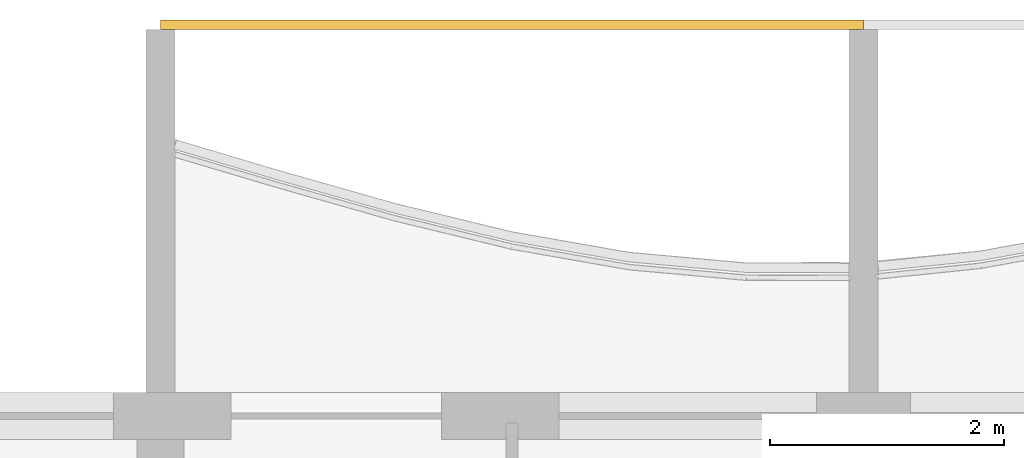
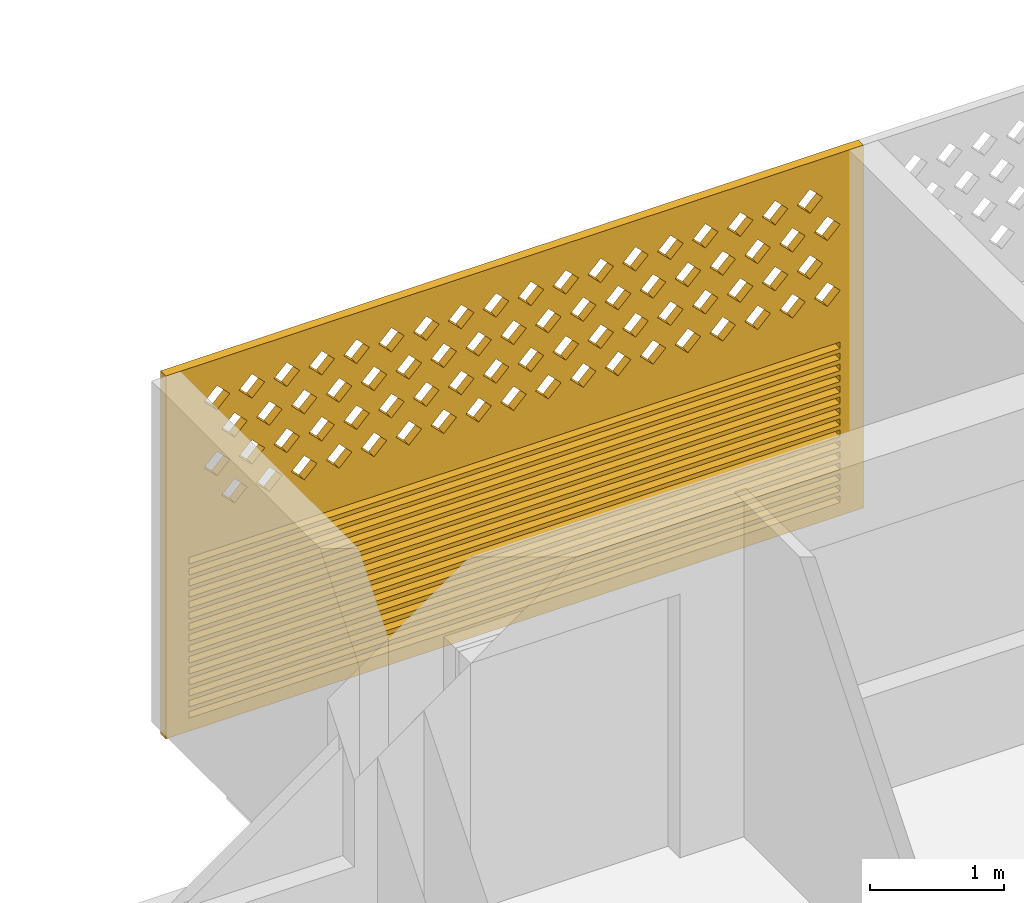
# One storey, part 34 of 40: 1 covering.
"""IFC4 building model written with IfcOpenShell, lengths in metres."""

import ifcopenshell
import ifcopenshell.guid

model = None  # the IFC model being written
_history = None  # IfcOwnerHistory: only IFC2X3 demands one
_inside = {}  # id of a spatial element -> (the spatial element, [elements in it])
_under = {}  # id of a project, library or spatial element -> (it, [spatial elements below it])
_declared = {}  # id of a project -> (the project, [libraries it declares])
_typed = {}  # id of a type object -> (the type object, [elements of that type])
_made_of = {}  # id of a material, layer set ... -> (it, [elements and type objects made of it])


def new_model(schema):
    """Start an empty IFC model of exactly this schema.

    Asked for "IFC4X3", IfcOpenShell would pick the latest addendum, in which some entities
    have other attributes; the version numbers below select the first issue.
    IFC2X3 requires an IfcOwnerHistory on every rooted entity: one is made here for all.
    """
    global model, _history
    if schema == "IFC4X3":
        model = ifcopenshell.file(schema_version=(4, 3, 0, 0))
    else:
        model = ifcopenshell.file(schema=schema)
    _inside.clear()
    _under.clear()
    _declared.clear()
    _typed.clear()
    _made_of.clear()
    _history = None
    if model.schema == "IFC2X3":
        org = make("IfcOrganization", Name="unknown")
        user = make(
            "IfcPersonAndOrganization",
            ThePerson=make("IfcPerson", FamilyName="unknown"),
            TheOrganization=org,
        )
        app = make(
            "IfcApplication",
            ApplicationDeveloper=org,
            Version="unknown",
            ApplicationFullName="unknown",
            ApplicationIdentifier="unknown",
        )
        _history = make(
            "IfcOwnerHistory",
            OwningUser=user,
            OwningApplication=app,
            ChangeAction="ADDED",
            CreationDate=0,
        )
    return model


def make(cls, **values):
    """One entity of the class cls with the attributes given. An attribute that is None is left unset."""
    return model.create_entity(
        cls, **{name: value for name, value in values.items() if value is not None}
    )


def rooted(cls, **values):
    """An entity with a GlobalId (a new one), such as an element, a storey or a relation."""
    return make(cls, GlobalId=ifcopenshell.guid.new(), OwnerHistory=_history, **values)


def si_unit(unit_type, name, prefix=None):
    """IfcSIUnit, for example si_unit("LENGTHUNIT", "METRE", prefix="MILLI")."""
    return make("IfcSIUnit", UnitType=unit_type, Prefix=prefix, Name=name)


def assignment(units):
    """IfcUnitAssignment: the units of a project."""
    return None if units is None else make("IfcUnitAssignment", Units=units)


def point(xyz):
    """IfcCartesianPoint."""
    return None if xyz is None else make("IfcCartesianPoint", Coordinates=xyz)


def direction(xyz):
    """IfcDirection."""
    return None if xyz is None else make("IfcDirection", DirectionRatios=xyz)


def frame(location, z_axis=None, x_axis=None):
    """IfcAxis2Placement3D, a coordinate frame: its origin and axes. An axis left out is left unset."""
    return make(
        "IfcAxis2Placement3D",
        Location=point(location),
        Axis=direction(z_axis),
        RefDirection=direction(x_axis),
    )


def origin():
    """The frame at (0, 0, 0) with its axes left unset."""
    return frame((0.0, 0.0, 0.0))


def place(relative_to, where):
    """IfcLocalPlacement: puts the frame where relative to a parent placement (None: the world)."""
    return make(
        "IfcLocalPlacement", PlacementRelTo=relative_to, RelativePlacement=where
    )


def context(
    kind, dimensions, precision=None, world=None, true_north=None, identifier=None
):
    """IfcGeometricRepresentationContext, for example the 3D "Model" context."""
    return make(
        "IfcGeometricRepresentationContext",
        ContextIdentifier=identifier,
        ContextType=kind,
        CoordinateSpaceDimension=dimensions,
        Precision=precision,
        WorldCoordinateSystem=world,
        TrueNorth=true_north,
    )


def subcontext(parent, identifier, kind, view, scale=None):
    """IfcGeometricRepresentationSubContext, for example "Body" below "Model"."""
    return make(
        "IfcGeometricRepresentationSubContext",
        ContextIdentifier=identifier,
        ContextType=kind,
        ParentContext=parent,
        TargetScale=scale,
        TargetView=view,
    )


def project(units=None, contexts=None):
    """IfcProject with its units and contexts."""
    return rooted(
        "IfcProject",
        Name="project",
        RepresentationContexts=contexts,
        UnitsInContext=assignment(units),
    )


def spatial(cls, under=None, at=None, **own):
    """A site, building, storey or space (cls), placed at a placement, below another one or the project."""
    s = rooted(cls, ObjectPlacement=at, **own)
    if under is not None:
        _under.setdefault(under.id(), (under, []))[1].append(s)
    return s


def polyline(points):
    """IfcPolyline through the points."""
    return make("IfcPolyline", Points=[point(p) for p in points])


def outline(outer, holes=None, kind="AREA"):
    """IfcArbitraryClosedProfileDef: a profile drawn as a closed curve; with holes, ...WithVoids."""
    if holes is None:
        return make("IfcArbitraryClosedProfileDef", ProfileType=kind, OuterCurve=outer)
    return make(
        "IfcArbitraryProfileDefWithVoids",
        ProfileType=kind,
        OuterCurve=outer,
        InnerCurves=holes,
    )


def extrude(swept, where, along, depth):
    """IfcExtrudedAreaSolid: the profile swept, set in the frame where, extruded along a direction by depth."""
    return make(
        "IfcExtrudedAreaSolid",
        SweptArea=swept,
        Position=where,
        ExtrudedDirection=direction(along),
        Depth=depth,
    )


def shape(context_of_items, identifier, shape_type, items):
    """IfcShapeRepresentation: the items that make up one representation, for example the "Body"."""
    return make(
        "IfcShapeRepresentation",
        ContextOfItems=context_of_items,
        RepresentationIdentifier=identifier,
        RepresentationType=shape_type,
        Items=items,
    )


def source(mapping_origin, context_of_items, identifier, shape_type, items):
    """IfcRepresentationMap: a shape defined once, which mapped items show again and again."""
    return make(
        "IfcRepresentationMap",
        MappingOrigin=mapping_origin,
        MappedRepresentation=shape(context_of_items, identifier, shape_type, items),
    )


def transform(
    local_origin,
    x_axis=None,
    y_axis=None,
    z_axis=None,
    scale=None,
    scale2=None,
    scale3=None,
    uniform=True,
):
    """IfcCartesianTransformationOperator3D, or its non-uniform kind. x_axis, y_axis, z_axis: its Axis1, 2, 3."""
    if uniform:
        return make(
            "IfcCartesianTransformationOperator3D",
            Axis1=direction(x_axis),
            Axis2=direction(y_axis),
            LocalOrigin=point(local_origin),
            Scale=scale,
            Axis3=direction(z_axis),
        )
    return make(
        "IfcCartesianTransformationOperator3DnonUniform",
        Axis1=direction(x_axis),
        Axis2=direction(y_axis),
        LocalOrigin=point(local_origin),
        Scale=scale,
        Axis3=direction(z_axis),
        Scale2=scale2,
        Scale3=scale3,
    )


def mapped(mapping_source, mapping_target):
    """IfcMappedItem: shows the shape of a source again, moved by a transform."""
    return make(
        "IfcMappedItem", MappingSource=mapping_source, MappingTarget=mapping_target
    )


def material(Name=None, Category=None):
    """IfcMaterial."""
    return make("IfcMaterial", Name=Name, Category=Category)


def material_profile(
    of_material, cross_section, Name=None, Category=None, Priority=None
):
    """IfcMaterialProfile: a cross section and its material."""
    return make(
        "IfcMaterialProfile",
        Name=Name,
        Material=of_material,
        Profile=cross_section,
        Priority=Priority,
        Category=Category,
    )


def profile_set(profiles, Name=None, composite=None):
    """IfcMaterialProfileSet."""
    return make(
        "IfcMaterialProfileSet",
        Name=Name,
        MaterialProfiles=profiles,
        CompositeProfile=composite,
    )


def made_of(thing, what):
    """Note that an element or type object is made of a material, layer set ...; save() writes the relation."""
    if what is not None:
        _made_of.setdefault(what.id(), (what, []))[1].append(thing)
    return thing


def type_object(cls, material=None, **own):
    """A type object (cls), such as IfcWallType, which elements share."""
    return made_of(rooted(cls, **own), material)


def element(
    cls,
    number,
    at=None,
    inside=None,
    cuts=None,
    type_object=None,
    material=None,
    context=None,
    identifier="Body",
    shape_type=None,
    held_by="IfcProductDefinitionShape",
    body=None,
    shapes=None,
    **own,
):
    """One element of the class cls, such as IfcWall. Its Tag is "e" and its number.

    at: its placement. inside: the storey or other place that contains it. cuts: it is an
    opening in that element (IfcRelVoidsElement). A single representation is given by context,
    identifier, shape_type and body (its items); several are given by shapes. held_by: the class
    of the entity that holds the representations. save() writes the other relations.
    """
    e = rooted(cls, Tag="e%d" % number, ObjectPlacement=at, **own)
    if body is not None:
        shapes = [shape(context, identifier, shape_type, body)]
    if shapes is not None:
        e.Representation = make(held_by, Representations=shapes)
    if inside is not None:
        _inside.setdefault(inside.id(), (inside, []))[1].append(e)
    if cuts is not None:
        rooted(
            "IfcRelVoidsElement", RelatingBuildingElement=cuts, RelatedOpeningElement=e
        )
    if type_object is not None:
        _typed.setdefault(type_object.id(), (type_object, []))[1].append(e)
    return made_of(e, material)


def aggregate(whole, parts):
    """IfcRelAggregates: a whole, such as a stair, and the parts it consists of."""
    return rooted("IfcRelAggregates", RelatingObject=whole, RelatedObjects=parts)


def save(model, path):
    """Write the relations noted so far, then the file.

    IfcRelAggregates (storeys below a building ...), IfcRelContainedInSpatialStructure (elements
    in a storey), IfcRelDefinesByType, IfcRelAssociatesMaterial and IfcRelDeclares: one each for
    every whole, place, type object, material and project.
    """
    for whole, parts in _under.values():
        aggregate(whole, parts)
    for where, things in _inside.values():
        rooted(
            "IfcRelContainedInSpatialStructure",
            RelatedElements=things,
            RelatingStructure=where,
        )
    for kind, things in _typed.values():
        rooted("IfcRelDefinesByType", RelatedObjects=things, RelatingType=kind)
    for what, things in _made_of.values():
        rooted("IfcRelAssociatesMaterial", RelatedObjects=things, RelatingMaterial=what)
    for by, libraries in _declared.values():
        rooted("IfcRelDeclares", RelatingContext=by, RelatedDefinitions=libraries)
    model.write(path)


model = new_model("IFC4")

# Units and contexts
model_context = context("Model", 3, precision=1e-05, world=origin(), true_north=direction((0.0, 1.0)))
body_context = subcontext(model_context, "Body", "Model", "MODEL_VIEW")
ifc_project = project(units=[si_unit("LENGTHUNIT", "METRE"), si_unit("AREAUNIT", "SQUARE_METRE"), si_unit("VOLUMEUNIT", "CUBIC_METRE"), si_unit("PLANEANGLEUNIT", "RADIAN"), si_unit("MASSUNIT", "GRAM", prefix="KILO")], contexts=[model_context])

# Site, building, storey
site_placement = place(None, origin())
site = spatial("IfcSite", under=ifc_project, at=site_placement, CompositionType="ELEMENT")
building_placement = place(site_placement, origin())
building = spatial("IfcBuilding", under=site, at=building_placement, Name="Poui Terraces", CompositionType="ELEMENT")
storey_placement = place(building_placement, frame((0.0, 0.0, 36.60009765625)))
storey = spatial("IfcBuildingStorey", under=building, at=storey_placement, Name="L09", CompositionType="ELEMENT", Elevation=36.60009765625)

# Covering
ifc_material = material(Name="Terracotta screen", Category="masonry")
ifc_material_profile = material_profile(ifc_material, outline(polyline([(-3.0, -1.64990234375), (3.0, -1.64990234375), (3.0, 1.64990234375), (-3.0, 1.64990234375), (-3.0, -1.64990234375)]), holes=[polyline([(-2.800048828125, 0.39990234375), (-2.68994140625, 0.2900390625), (-2.580078125, 0.39990234375), (-2.68994140625, 0.510009765625), (-2.800048828125, 0.39990234375)]), polyline([(-2.5, 0.39990234375), (-2.389892578125, 0.2900390625), (-2.280029296875, 0.39990234375), (-2.389892578125, 0.510009765625), (-2.5, 0.39990234375)]), polyline([(-2.199951171875, 0.39990234375), (-2.090087890625, 0.2900390625), (-1.97998046875, 0.39990234375), (-2.090087890625, 0.510009765625), (-2.199951171875, 0.39990234375)]), polyline([(-1.89990234375, 0.39990234375), (-1.7900390625, 0.2900390625), (-1.679931640625, 0.39990234375), (-1.7900390625, 0.510009765625), (-1.89990234375, 0.39990234375)]), polyline([(-1.60009765625, 0.39990234375), (-1.489990234375, 0.2900390625), (-1.3798828125, 0.39990234375), (-1.489990234375, 0.510009765625), (-1.60009765625, 0.39990234375)]), polyline([(-1.300048828125, 0.39990234375), (-1.18994140625, 0.2900390625), (-1.080078125, 0.39990234375), (-1.18994140625, 0.510009765625), (-1.300048828125, 0.39990234375)]), polyline([(-1.0, 0.39990234375), (-0.889892578125, 0.2900390625), (-0.780029296875, 0.39990234375), (-0.889892578125, 0.510009765625), (-1.0, 0.39990234375)]), polyline([(-0.699951171875, 0.39990234375), (-0.590087890625, 0.2900390625), (-0.47998046875, 0.39990234375), (-0.590087890625, 0.510009765625), (-0.699951171875, 0.39990234375)]), polyline([(-0.39990234375, 0.39990234375), (-0.2900390625, 0.2900390625), (-0.179931640625, 0.39990234375), (-0.2900390625, 0.510009765625), (-0.39990234375, 0.39990234375)]), polyline([(-0.10009765625, 0.39990234375), (0.010009765625, 0.2900390625), (0.1201171875, 0.39990234375), (0.010009765625, 0.510009765625), (-0.10009765625, 0.39990234375)]), polyline([(0.199951171875, 0.39990234375), (0.31005859375, 0.2900390625), (0.419921875, 0.39990234375), (0.31005859375, 0.510009765625), (0.199951171875, 0.39990234375)]), polyline([(0.5, 0.39990234375), (0.610107421875, 0.2900390625), (0.719970703125, 0.39990234375), (0.610107421875, 0.510009765625), (0.5, 0.39990234375)]), polyline([(0.800048828125, 0.39990234375), (0.909912109375, 0.2900390625), (1.02001953125, 0.39990234375), (0.909912109375, 0.510009765625), (0.800048828125, 0.39990234375)]), polyline([(1.10009765625, 0.39990234375), (1.2099609375, 0.2900390625), (1.320068359375, 0.39990234375), (1.2099609375, 0.510009765625), (1.10009765625, 0.39990234375)]), polyline([(1.39990234375, 0.39990234375), (1.510009765625, 0.2900390625), (1.6201171875, 0.39990234375), (1.510009765625, 0.510009765625), (1.39990234375, 0.39990234375)]), polyline([(1.699951171875, 0.39990234375), (1.81005859375, 0.2900390625), (1.919921875, 0.39990234375), (1.81005859375, 0.510009765625), (1.699951171875, 0.39990234375)]), polyline([(2.0, 0.39990234375), (2.110107421875, 0.2900390625), (2.219970703125, 0.39990234375), (2.110107421875, 0.510009765625), (2.0, 0.39990234375)]), polyline([(2.300048828125, 0.39990234375), (2.409912109375, 0.2900390625), (2.52001953125, 0.39990234375), (2.409912109375, 0.510009765625), (2.300048828125, 0.39990234375)]), polyline([(-2.64990234375, 0.699951171875), (-2.5400390625, 0.590087890625), (-2.429931640625, 0.699951171875), (-2.5400390625, 0.81005859375), (-2.64990234375, 0.699951171875)]), polyline([(-2.35009765625, 0.699951171875), (-2.239990234375, 0.590087890625), (-2.1298828125, 0.699951171875), (-2.239990234375, 0.81005859375), (-2.35009765625, 0.699951171875)]), polyline([(-2.050048828125, 0.699951171875), (-1.93994140625, 0.590087890625), (-1.830078125, 0.699951171875), (-1.93994140625, 0.81005859375), (-2.050048828125, 0.699951171875)]), polyline([(-1.75, 0.699951171875), (-1.639892578125, 0.590087890625), (-1.530029296875, 0.699951171875), (-1.639892578125, 0.81005859375), (-1.75, 0.699951171875)]), polyline([(-1.449951171875, 0.699951171875), (-1.340087890625, 0.590087890625), (-1.22998046875, 0.699951171875), (-1.340087890625, 0.81005859375), (-1.449951171875, 0.699951171875)]), polyline([(-1.14990234375, 0.699951171875), (-1.0400390625, 0.590087890625), (-0.929931640625, 0.699951171875), (-1.0400390625, 0.81005859375), (-1.14990234375, 0.699951171875)]), polyline([(-0.85009765625, 0.699951171875), (-0.739990234375, 0.590087890625), (-0.6298828125, 0.699951171875), (-0.739990234375, 0.81005859375), (-0.85009765625, 0.699951171875)]), polyline([(-0.550048828125, 0.699951171875), (-0.43994140625, 0.590087890625), (-0.330078125, 0.699951171875), (-0.43994140625, 0.81005859375), (-0.550048828125, 0.699951171875)]), polyline([(-0.25, 0.699951171875), (-0.139892578125, 0.590087890625), (-0.030029296875, 0.699951171875), (-0.139892578125, 0.81005859375), (-0.25, 0.699951171875)]), polyline([(0.050048828125, 0.699951171875), (0.159912109375, 0.590087890625), (0.27001953125, 0.699951171875), (0.159912109375, 0.81005859375), (0.050048828125, 0.699951171875)]), polyline([(0.35009765625, 0.699951171875), (0.4599609375, 0.590087890625), (0.570068359375, 0.699951171875), (0.4599609375, 0.81005859375), (0.35009765625, 0.699951171875)]), polyline([(0.64990234375, 0.699951171875), (0.760009765625, 0.590087890625), (0.8701171875, 0.699951171875), (0.760009765625, 0.81005859375), (0.64990234375, 0.699951171875)]), polyline([(0.949951171875, 0.699951171875), (1.06005859375, 0.590087890625), (1.169921875, 0.699951171875), (1.06005859375, 0.81005859375), (0.949951171875, 0.699951171875)]), polyline([(1.25, 0.699951171875), (1.360107421875, 0.590087890625), (1.469970703125, 0.699951171875), (1.360107421875, 0.81005859375), (1.25, 0.699951171875)]), polyline([(1.550048828125, 0.699951171875), (1.659912109375, 0.590087890625), (1.77001953125, 0.699951171875), (1.659912109375, 0.81005859375), (1.550048828125, 0.699951171875)]), polyline([(1.85009765625, 0.699951171875), (1.9599609375, 0.590087890625), (2.070068359375, 0.699951171875), (1.9599609375, 0.81005859375), (1.85009765625, 0.699951171875)]), polyline([(2.14990234375, 0.699951171875), (2.260009765625, 0.590087890625), (2.3701171875, 0.699951171875), (2.260009765625, 0.81005859375), (2.14990234375, 0.699951171875)]), polyline([(2.449951171875, 0.699951171875), (2.56005859375, 0.590087890625), (2.669921875, 0.699951171875), (2.56005859375, 0.81005859375), (2.449951171875, 0.699951171875)]), polyline([(-2.800048828125, 1.0), (-2.68994140625, 0.889892578125), (-2.580078125, 1.0), (-2.68994140625, 1.110107421875), (-2.800048828125, 1.0)]), polyline([(-2.5, 1.0), (-2.389892578125, 0.889892578125), (-2.280029296875, 1.0), (-2.389892578125, 1.110107421875), (-2.5, 1.0)]), polyline([(-2.199951171875, 1.0), (-2.090087890625, 0.889892578125), (-1.97998046875, 1.0), (-2.090087890625, 1.110107421875), (-2.199951171875, 1.0)]), polyline([(-1.89990234375, 1.0), (-1.7900390625, 0.889892578125), (-1.679931640625, 1.0), (-1.7900390625, 1.110107421875), (-1.89990234375, 1.0)]), polyline([(-1.60009765625, 1.0), (-1.489990234375, 0.889892578125), (-1.3798828125, 1.0), (-1.489990234375, 1.110107421875), (-1.60009765625, 1.0)]), polyline([(-1.300048828125, 1.0), (-1.18994140625, 0.889892578125), (-1.080078125, 1.0), (-1.18994140625, 1.110107421875), (-1.300048828125, 1.0)]), polyline([(-1.0, 1.0), (-0.889892578125, 0.889892578125), (-0.780029296875, 1.0), (-0.889892578125, 1.110107421875), (-1.0, 1.0)]), polyline([(-0.699951171875, 1.0), (-0.590087890625, 0.889892578125), (-0.47998046875, 1.0), (-0.590087890625, 1.110107421875), (-0.699951171875, 1.0)]), polyline([(-0.39990234375, 1.0), (-0.2900390625, 0.889892578125), (-0.179931640625, 1.0), (-0.2900390625, 1.110107421875), (-0.39990234375, 1.0)]), polyline([(-0.10009765625, 1.0), (0.010009765625, 0.889892578125), (0.1201171875, 1.0), (0.010009765625, 1.110107421875), (-0.10009765625, 1.0)]), polyline([(0.199951171875, 1.0), (0.31005859375, 0.889892578125), (0.419921875, 1.0), (0.31005859375, 1.110107421875), (0.199951171875, 1.0)]), polyline([(0.5, 1.0), (0.610107421875, 0.889892578125), (0.719970703125, 1.0), (0.610107421875, 1.110107421875), (0.5, 1.0)]), polyline([(0.800048828125, 1.0), (0.909912109375, 0.889892578125), (1.02001953125, 1.0), (0.909912109375, 1.110107421875), (0.800048828125, 1.0)]), polyline([(1.10009765625, 1.0), (1.2099609375, 0.889892578125), (1.320068359375, 1.0), (1.2099609375, 1.110107421875), (1.10009765625, 1.0)]), polyline([(1.39990234375, 1.0), (1.510009765625, 0.889892578125), (1.6201171875, 1.0), (1.510009765625, 1.110107421875), (1.39990234375, 1.0)]), polyline([(1.699951171875, 1.0), (1.81005859375, 0.889892578125), (1.919921875, 1.0), (1.81005859375, 1.110107421875), (1.699951171875, 1.0)]), polyline([(2.0, 1.0), (2.110107421875, 0.889892578125), (2.219970703125, 1.0), (2.110107421875, 1.110107421875), (2.0, 1.0)]), polyline([(2.300048828125, 1.0), (2.409912109375, 0.889892578125), (2.52001953125, 1.0), (2.409912109375, 1.110107421875), (2.300048828125, 1.0)]), polyline([(-2.64990234375, 1.300048828125), (-2.5400390625, 1.18994140625), (-2.429931640625, 1.300048828125), (-2.5400390625, 1.409912109375), (-2.64990234375, 1.300048828125)]), polyline([(-2.35009765625, 1.300048828125), (-2.239990234375, 1.18994140625), (-2.1298828125, 1.300048828125), (-2.239990234375, 1.409912109375), (-2.35009765625, 1.300048828125)]), polyline([(-2.050048828125, 1.300048828125), (-1.93994140625, 1.18994140625), (-1.830078125, 1.300048828125), (-1.93994140625, 1.409912109375), (-2.050048828125, 1.300048828125)]), polyline([(-1.75, 1.300048828125), (-1.639892578125, 1.18994140625), (-1.530029296875, 1.300048828125), (-1.639892578125, 1.409912109375), (-1.75, 1.300048828125)]), polyline([(-1.449951171875, 1.300048828125), (-1.340087890625, 1.18994140625), (-1.22998046875, 1.300048828125), (-1.340087890625, 1.409912109375), (-1.449951171875, 1.300048828125)]), polyline([(-1.14990234375, 1.300048828125), (-1.0400390625, 1.18994140625), (-0.929931640625, 1.300048828125), (-1.0400390625, 1.409912109375), (-1.14990234375, 1.300048828125)]), polyline([(-0.85009765625, 1.300048828125), (-0.739990234375, 1.18994140625), (-0.6298828125, 1.300048828125), (-0.739990234375, 1.409912109375), (-0.85009765625, 1.300048828125)]), polyline([(-0.550048828125, 1.300048828125), (-0.43994140625, 1.18994140625), (-0.330078125, 1.300048828125), (-0.43994140625, 1.409912109375), (-0.550048828125, 1.300048828125)]), polyline([(-0.25, 1.300048828125), (-0.139892578125, 1.18994140625), (-0.030029296875, 1.300048828125), (-0.139892578125, 1.409912109375), (-0.25, 1.300048828125)]), polyline([(0.050048828125, 1.300048828125), (0.159912109375, 1.18994140625), (0.27001953125, 1.300048828125), (0.159912109375, 1.409912109375), (0.050048828125, 1.300048828125)]), polyline([(0.35009765625, 1.300048828125), (0.4599609375, 1.18994140625), (0.570068359375, 1.300048828125), (0.4599609375, 1.409912109375), (0.35009765625, 1.300048828125)]), polyline([(0.64990234375, 1.300048828125), (0.760009765625, 1.18994140625), (0.8701171875, 1.300048828125), (0.760009765625, 1.409912109375), (0.64990234375, 1.300048828125)]), polyline([(0.949951171875, 1.300048828125), (1.06005859375, 1.18994140625), (1.169921875, 1.300048828125), (1.06005859375, 1.409912109375), (0.949951171875, 1.300048828125)]), polyline([(1.25, 1.300048828125), (1.360107421875, 1.18994140625), (1.469970703125, 1.300048828125), (1.360107421875, 1.409912109375), (1.25, 1.300048828125)]), polyline([(1.550048828125, 1.300048828125), (1.659912109375, 1.18994140625), (1.77001953125, 1.300048828125), (1.659912109375, 1.409912109375), (1.550048828125, 1.300048828125)]), polyline([(1.85009765625, 1.300048828125), (1.9599609375, 1.18994140625), (2.070068359375, 1.300048828125), (1.9599609375, 1.409912109375), (1.85009765625, 1.300048828125)]), polyline([(2.14990234375, 1.300048828125), (2.260009765625, 1.18994140625), (2.3701171875, 1.300048828125), (2.260009765625, 1.409912109375), (2.14990234375, 1.300048828125)]), polyline([(2.449951171875, 1.300048828125), (2.56005859375, 1.18994140625), (2.669921875, 1.300048828125), (2.56005859375, 1.409912109375), (2.449951171875, 1.300048828125)]), polyline([(-2.800048828125, -1.530029296875), (2.800048828125, -1.530029296875), (2.800048828125, -1.469970703125), (-2.800048828125, -1.469970703125), (-2.800048828125, -1.530029296875)]), polyline([(-2.800048828125, -1.429931640625), (2.800048828125, -1.429931640625), (2.800048828125, -1.3701171875), (-2.800048828125, -1.3701171875), (-2.800048828125, -1.429931640625)]), polyline([(-2.800048828125, -1.330078125), (2.800048828125, -1.330078125), (2.800048828125, -1.27001953125), (-2.800048828125, -1.27001953125), (-2.800048828125, -1.330078125)]), polyline([(-2.800048828125, -1.22998046875), (2.800048828125, -1.22998046875), (2.800048828125, -1.169921875), (-2.800048828125, -1.169921875), (-2.800048828125, -1.22998046875)]), polyline([(-2.800048828125, -1.1298828125), (2.800048828125, -1.1298828125), (2.800048828125, -1.070068359375), (-2.800048828125, -1.070068359375), (-2.800048828125, -1.1298828125)]), polyline([(-2.800048828125, -1.030029296875), (2.800048828125, -1.030029296875), (2.800048828125, -0.969970703125), (-2.800048828125, -0.969970703125), (-2.800048828125, -1.030029296875)]), polyline([(-2.800048828125, -0.929931640625), (2.800048828125, -0.929931640625), (2.800048828125, -0.8701171875), (-2.800048828125, -0.8701171875), (-2.800048828125, -0.929931640625)]), polyline([(-2.800048828125, -0.830078125), (2.800048828125, -0.830078125), (2.800048828125, -0.77001953125), (-2.800048828125, -0.77001953125), (-2.800048828125, -0.830078125)]), polyline([(-2.800048828125, -0.72998046875), (2.800048828125, -0.72998046875), (2.800048828125, -0.669921875), (-2.800048828125, -0.669921875), (-2.800048828125, -0.72998046875)]), polyline([(-2.800048828125, -0.6298828125), (2.800048828125, -0.6298828125), (2.800048828125, -0.570068359375), (-2.800048828125, -0.570068359375), (-2.800048828125, -0.6298828125)]), polyline([(-2.800048828125, -0.530029296875), (2.800048828125, -0.530029296875), (2.800048828125, -0.469970703125), (-2.800048828125, -0.469970703125), (-2.800048828125, -0.530029296875)]), polyline([(-2.800048828125, -0.429931640625), (2.800048828125, -0.429931640625), (2.800048828125, -0.3701171875), (-2.800048828125, -0.3701171875), (-2.800048828125, -0.429931640625)]), polyline([(-2.800048828125, -0.330078125), (2.800048828125, -0.330078125), (2.800048828125, -0.27001953125), (-2.800048828125, -0.27001953125), (-2.800048828125, -0.330078125)]), polyline([(-2.800048828125, -0.22998046875), (2.800048828125, -0.22998046875), (2.800048828125, -0.169921875), (-2.800048828125, -0.169921875), (-2.800048828125, -0.22998046875)]), polyline([(-2.800048828125, -0.1298828125), (2.800048828125, -0.1298828125), (2.800048828125, -0.070068359375), (-2.800048828125, -0.070068359375), (-2.800048828125, -0.1298828125)])]), Name="TERRACOTTA SCREEN AND JALOUSIE LOUVRE 6000X3300")
ifc_profile_set = profile_set([ifc_material_profile], Name="Terracotta screen")
covering_type = type_object("IfcCoveringType", Name="TERRACOTTA SCREEN AND JALOUSIE LOUVRE 6000X3300", PredefinedType="CLADDING", material=ifc_profile_set)
shared_shape = source(origin(), body_context, "Body", "SweptSolid", [
    extrude(outline(polyline([(-3.0, -1.64990234375), (3.0, -1.64990234375), (3.0, 1.64990234375), (-3.0, 1.64990234375), (-3.0, -1.64990234375)]), holes=[polyline([(-2.800048828125, 0.39990234375), (-2.68994140625, 0.2900390625), (-2.580078125, 0.39990234375), (-2.68994140625, 0.510009765625), (-2.800048828125, 0.39990234375)]), polyline([(-2.5, 0.39990234375), (-2.389892578125, 0.2900390625), (-2.280029296875, 0.39990234375), (-2.389892578125, 0.510009765625), (-2.5, 0.39990234375)]), polyline([(-2.199951171875, 0.39990234375), (-2.090087890625, 0.2900390625), (-1.97998046875, 0.39990234375), (-2.090087890625, 0.510009765625), (-2.199951171875, 0.39990234375)]), polyline([(-1.89990234375, 0.39990234375), (-1.7900390625, 0.2900390625), (-1.679931640625, 0.39990234375), (-1.7900390625, 0.510009765625), (-1.89990234375, 0.39990234375)]), polyline([(-1.60009765625, 0.39990234375), (-1.489990234375, 0.2900390625), (-1.3798828125, 0.39990234375), (-1.489990234375, 0.510009765625), (-1.60009765625, 0.39990234375)]), polyline([(-1.300048828125, 0.39990234375), (-1.18994140625, 0.2900390625), (-1.080078125, 0.39990234375), (-1.18994140625, 0.510009765625), (-1.300048828125, 0.39990234375)]), polyline([(-1.0, 0.39990234375), (-0.889892578125, 0.2900390625), (-0.780029296875, 0.39990234375), (-0.889892578125, 0.510009765625), (-1.0, 0.39990234375)]), polyline([(-0.699951171875, 0.39990234375), (-0.590087890625, 0.2900390625), (-0.47998046875, 0.39990234375), (-0.590087890625, 0.510009765625), (-0.699951171875, 0.39990234375)]), polyline([(-0.39990234375, 0.39990234375), (-0.2900390625, 0.2900390625), (-0.179931640625, 0.39990234375), (-0.2900390625, 0.510009765625), (-0.39990234375, 0.39990234375)]), polyline([(-0.10009765625, 0.39990234375), (0.010009765625, 0.2900390625), (0.1201171875, 0.39990234375), (0.010009765625, 0.510009765625), (-0.10009765625, 0.39990234375)]), polyline([(0.199951171875, 0.39990234375), (0.31005859375, 0.2900390625), (0.419921875, 0.39990234375), (0.31005859375, 0.510009765625), (0.199951171875, 0.39990234375)]), polyline([(0.5, 0.39990234375), (0.610107421875, 0.2900390625), (0.719970703125, 0.39990234375), (0.610107421875, 0.510009765625), (0.5, 0.39990234375)]), polyline([(0.800048828125, 0.39990234375), (0.909912109375, 0.2900390625), (1.02001953125, 0.39990234375), (0.909912109375, 0.510009765625), (0.800048828125, 0.39990234375)]), polyline([(1.10009765625, 0.39990234375), (1.2099609375, 0.2900390625), (1.320068359375, 0.39990234375), (1.2099609375, 0.510009765625), (1.10009765625, 0.39990234375)]), polyline([(1.39990234375, 0.39990234375), (1.510009765625, 0.2900390625), (1.6201171875, 0.39990234375), (1.510009765625, 0.510009765625), (1.39990234375, 0.39990234375)]), polyline([(1.699951171875, 0.39990234375), (1.81005859375, 0.2900390625), (1.919921875, 0.39990234375), (1.81005859375, 0.510009765625), (1.699951171875, 0.39990234375)]), polyline([(2.0, 0.39990234375), (2.110107421875, 0.2900390625), (2.219970703125, 0.39990234375), (2.110107421875, 0.510009765625), (2.0, 0.39990234375)]), polyline([(2.300048828125, 0.39990234375), (2.409912109375, 0.2900390625), (2.52001953125, 0.39990234375), (2.409912109375, 0.510009765625), (2.300048828125, 0.39990234375)]), polyline([(-2.64990234375, 0.699951171875), (-2.5400390625, 0.590087890625), (-2.429931640625, 0.699951171875), (-2.5400390625, 0.81005859375), (-2.64990234375, 0.699951171875)]), polyline([(-2.35009765625, 0.699951171875), (-2.239990234375, 0.590087890625), (-2.1298828125, 0.699951171875), (-2.239990234375, 0.81005859375), (-2.35009765625, 0.699951171875)]), polyline([(-2.050048828125, 0.699951171875), (-1.93994140625, 0.590087890625), (-1.830078125, 0.699951171875), (-1.93994140625, 0.81005859375), (-2.050048828125, 0.699951171875)]), polyline([(-1.75, 0.699951171875), (-1.639892578125, 0.590087890625), (-1.530029296875, 0.699951171875), (-1.639892578125, 0.81005859375), (-1.75, 0.699951171875)]), polyline([(-1.449951171875, 0.699951171875), (-1.340087890625, 0.590087890625), (-1.22998046875, 0.699951171875), (-1.340087890625, 0.81005859375), (-1.449951171875, 0.699951171875)]), polyline([(-1.14990234375, 0.699951171875), (-1.0400390625, 0.590087890625), (-0.929931640625, 0.699951171875), (-1.0400390625, 0.81005859375), (-1.14990234375, 0.699951171875)]), polyline([(-0.85009765625, 0.699951171875), (-0.739990234375, 0.590087890625), (-0.6298828125, 0.699951171875), (-0.739990234375, 0.81005859375), (-0.85009765625, 0.699951171875)]), polyline([(-0.550048828125, 0.699951171875), (-0.43994140625, 0.590087890625), (-0.330078125, 0.699951171875), (-0.43994140625, 0.81005859375), (-0.550048828125, 0.699951171875)]), polyline([(-0.25, 0.699951171875), (-0.139892578125, 0.590087890625), (-0.030029296875, 0.699951171875), (-0.139892578125, 0.81005859375), (-0.25, 0.699951171875)]), polyline([(0.050048828125, 0.699951171875), (0.159912109375, 0.590087890625), (0.27001953125, 0.699951171875), (0.159912109375, 0.81005859375), (0.050048828125, 0.699951171875)]), polyline([(0.35009765625, 0.699951171875), (0.4599609375, 0.590087890625), (0.570068359375, 0.699951171875), (0.4599609375, 0.81005859375), (0.35009765625, 0.699951171875)]), polyline([(0.64990234375, 0.699951171875), (0.760009765625, 0.590087890625), (0.8701171875, 0.699951171875), (0.760009765625, 0.81005859375), (0.64990234375, 0.699951171875)]), polyline([(0.949951171875, 0.699951171875), (1.06005859375, 0.590087890625), (1.169921875, 0.699951171875), (1.06005859375, 0.81005859375), (0.949951171875, 0.699951171875)]), polyline([(1.25, 0.699951171875), (1.360107421875, 0.590087890625), (1.469970703125, 0.699951171875), (1.360107421875, 0.81005859375), (1.25, 0.699951171875)]), polyline([(1.550048828125, 0.699951171875), (1.659912109375, 0.590087890625), (1.77001953125, 0.699951171875), (1.659912109375, 0.81005859375), (1.550048828125, 0.699951171875)]), polyline([(1.85009765625, 0.699951171875), (1.9599609375, 0.590087890625), (2.070068359375, 0.699951171875), (1.9599609375, 0.81005859375), (1.85009765625, 0.699951171875)]), polyline([(2.14990234375, 0.699951171875), (2.260009765625, 0.590087890625), (2.3701171875, 0.699951171875), (2.260009765625, 0.81005859375), (2.14990234375, 0.699951171875)]), polyline([(2.449951171875, 0.699951171875), (2.56005859375, 0.590087890625), (2.669921875, 0.699951171875), (2.56005859375, 0.81005859375), (2.449951171875, 0.699951171875)]), polyline([(-2.800048828125, 1.0), (-2.68994140625, 0.889892578125), (-2.580078125, 1.0), (-2.68994140625, 1.110107421875), (-2.800048828125, 1.0)]), polyline([(-2.5, 1.0), (-2.389892578125, 0.889892578125), (-2.280029296875, 1.0), (-2.389892578125, 1.110107421875), (-2.5, 1.0)]), polyline([(-2.199951171875, 1.0), (-2.090087890625, 0.889892578125), (-1.97998046875, 1.0), (-2.090087890625, 1.110107421875), (-2.199951171875, 1.0)]), polyline([(-1.89990234375, 1.0), (-1.7900390625, 0.889892578125), (-1.679931640625, 1.0), (-1.7900390625, 1.110107421875), (-1.89990234375, 1.0)]), polyline([(-1.60009765625, 1.0), (-1.489990234375, 0.889892578125), (-1.3798828125, 1.0), (-1.489990234375, 1.110107421875), (-1.60009765625, 1.0)]), polyline([(-1.300048828125, 1.0), (-1.18994140625, 0.889892578125), (-1.080078125, 1.0), (-1.18994140625, 1.110107421875), (-1.300048828125, 1.0)]), polyline([(-1.0, 1.0), (-0.889892578125, 0.889892578125), (-0.780029296875, 1.0), (-0.889892578125, 1.110107421875), (-1.0, 1.0)]), polyline([(-0.699951171875, 1.0), (-0.590087890625, 0.889892578125), (-0.47998046875, 1.0), (-0.590087890625, 1.110107421875), (-0.699951171875, 1.0)]), polyline([(-0.39990234375, 1.0), (-0.2900390625, 0.889892578125), (-0.179931640625, 1.0), (-0.2900390625, 1.110107421875), (-0.39990234375, 1.0)]), polyline([(-0.10009765625, 1.0), (0.010009765625, 0.889892578125), (0.1201171875, 1.0), (0.010009765625, 1.110107421875), (-0.10009765625, 1.0)]), polyline([(0.199951171875, 1.0), (0.31005859375, 0.889892578125), (0.419921875, 1.0), (0.31005859375, 1.110107421875), (0.199951171875, 1.0)]), polyline([(0.5, 1.0), (0.610107421875, 0.889892578125), (0.719970703125, 1.0), (0.610107421875, 1.110107421875), (0.5, 1.0)]), polyline([(0.800048828125, 1.0), (0.909912109375, 0.889892578125), (1.02001953125, 1.0), (0.909912109375, 1.110107421875), (0.800048828125, 1.0)]), polyline([(1.10009765625, 1.0), (1.2099609375, 0.889892578125), (1.320068359375, 1.0), (1.2099609375, 1.110107421875), (1.10009765625, 1.0)]), polyline([(1.39990234375, 1.0), (1.510009765625, 0.889892578125), (1.6201171875, 1.0), (1.510009765625, 1.110107421875), (1.39990234375, 1.0)]), polyline([(1.699951171875, 1.0), (1.81005859375, 0.889892578125), (1.919921875, 1.0), (1.81005859375, 1.110107421875), (1.699951171875, 1.0)]), polyline([(2.0, 1.0), (2.110107421875, 0.889892578125), (2.219970703125, 1.0), (2.110107421875, 1.110107421875), (2.0, 1.0)]), polyline([(2.300048828125, 1.0), (2.409912109375, 0.889892578125), (2.52001953125, 1.0), (2.409912109375, 1.110107421875), (2.300048828125, 1.0)]), polyline([(-2.64990234375, 1.300048828125), (-2.5400390625, 1.18994140625), (-2.429931640625, 1.300048828125), (-2.5400390625, 1.409912109375), (-2.64990234375, 1.300048828125)]), polyline([(-2.35009765625, 1.300048828125), (-2.239990234375, 1.18994140625), (-2.1298828125, 1.300048828125), (-2.239990234375, 1.409912109375), (-2.35009765625, 1.300048828125)]), polyline([(-2.050048828125, 1.300048828125), (-1.93994140625, 1.18994140625), (-1.830078125, 1.300048828125), (-1.93994140625, 1.409912109375), (-2.050048828125, 1.300048828125)]), polyline([(-1.75, 1.300048828125), (-1.639892578125, 1.18994140625), (-1.530029296875, 1.300048828125), (-1.639892578125, 1.409912109375), (-1.75, 1.300048828125)]), polyline([(-1.449951171875, 1.300048828125), (-1.340087890625, 1.18994140625), (-1.22998046875, 1.300048828125), (-1.340087890625, 1.409912109375), (-1.449951171875, 1.300048828125)]), polyline([(-1.14990234375, 1.300048828125), (-1.0400390625, 1.18994140625), (-0.929931640625, 1.300048828125), (-1.0400390625, 1.409912109375), (-1.14990234375, 1.300048828125)]), polyline([(-0.85009765625, 1.300048828125), (-0.739990234375, 1.18994140625), (-0.6298828125, 1.300048828125), (-0.739990234375, 1.409912109375), (-0.85009765625, 1.300048828125)]), polyline([(-0.550048828125, 1.300048828125), (-0.43994140625, 1.18994140625), (-0.330078125, 1.300048828125), (-0.43994140625, 1.409912109375), (-0.550048828125, 1.300048828125)]), polyline([(-0.25, 1.300048828125), (-0.139892578125, 1.18994140625), (-0.030029296875, 1.300048828125), (-0.139892578125, 1.409912109375), (-0.25, 1.300048828125)]), polyline([(0.050048828125, 1.300048828125), (0.159912109375, 1.18994140625), (0.27001953125, 1.300048828125), (0.159912109375, 1.409912109375), (0.050048828125, 1.300048828125)]), polyline([(0.35009765625, 1.300048828125), (0.4599609375, 1.18994140625), (0.570068359375, 1.300048828125), (0.4599609375, 1.409912109375), (0.35009765625, 1.300048828125)]), polyline([(0.64990234375, 1.300048828125), (0.760009765625, 1.18994140625), (0.8701171875, 1.300048828125), (0.760009765625, 1.409912109375), (0.64990234375, 1.300048828125)]), polyline([(0.949951171875, 1.300048828125), (1.06005859375, 1.18994140625), (1.169921875, 1.300048828125), (1.06005859375, 1.409912109375), (0.949951171875, 1.300048828125)]), polyline([(1.25, 1.300048828125), (1.360107421875, 1.18994140625), (1.469970703125, 1.300048828125), (1.360107421875, 1.409912109375), (1.25, 1.300048828125)]), polyline([(1.550048828125, 1.300048828125), (1.659912109375, 1.18994140625), (1.77001953125, 1.300048828125), (1.659912109375, 1.409912109375), (1.550048828125, 1.300048828125)]), polyline([(1.85009765625, 1.300048828125), (1.9599609375, 1.18994140625), (2.070068359375, 1.300048828125), (1.9599609375, 1.409912109375), (1.85009765625, 1.300048828125)]), polyline([(2.14990234375, 1.300048828125), (2.260009765625, 1.18994140625), (2.3701171875, 1.300048828125), (2.260009765625, 1.409912109375), (2.14990234375, 1.300048828125)]), polyline([(2.449951171875, 1.300048828125), (2.56005859375, 1.18994140625), (2.669921875, 1.300048828125), (2.56005859375, 1.409912109375), (2.449951171875, 1.300048828125)]), polyline([(-2.800048828125, -1.530029296875), (2.800048828125, -1.530029296875), (2.800048828125, -1.469970703125), (-2.800048828125, -1.469970703125), (-2.800048828125, -1.530029296875)]), polyline([(-2.800048828125, -1.429931640625), (2.800048828125, -1.429931640625), (2.800048828125, -1.3701171875), (-2.800048828125, -1.3701171875), (-2.800048828125, -1.429931640625)]), polyline([(-2.800048828125, -1.330078125), (2.800048828125, -1.330078125), (2.800048828125, -1.27001953125), (-2.800048828125, -1.27001953125), (-2.800048828125, -1.330078125)]), polyline([(-2.800048828125, -1.22998046875), (2.800048828125, -1.22998046875), (2.800048828125, -1.169921875), (-2.800048828125, -1.169921875), (-2.800048828125, -1.22998046875)]), polyline([(-2.800048828125, -1.1298828125), (2.800048828125, -1.1298828125), (2.800048828125, -1.070068359375), (-2.800048828125, -1.070068359375), (-2.800048828125, -1.1298828125)]), polyline([(-2.800048828125, -1.030029296875), (2.800048828125, -1.030029296875), (2.800048828125, -0.969970703125), (-2.800048828125, -0.969970703125), (-2.800048828125, -1.030029296875)]), polyline([(-2.800048828125, -0.929931640625), (2.800048828125, -0.929931640625), (2.800048828125, -0.8701171875), (-2.800048828125, -0.8701171875), (-2.800048828125, -0.929931640625)]), polyline([(-2.800048828125, -0.830078125), (2.800048828125, -0.830078125), (2.800048828125, -0.77001953125), (-2.800048828125, -0.77001953125), (-2.800048828125, -0.830078125)]), polyline([(-2.800048828125, -0.72998046875), (2.800048828125, -0.72998046875), (2.800048828125, -0.669921875), (-2.800048828125, -0.669921875), (-2.800048828125, -0.72998046875)]), polyline([(-2.800048828125, -0.6298828125), (2.800048828125, -0.6298828125), (2.800048828125, -0.570068359375), (-2.800048828125, -0.570068359375), (-2.800048828125, -0.6298828125)]), polyline([(-2.800048828125, -0.530029296875), (2.800048828125, -0.530029296875), (2.800048828125, -0.469970703125), (-2.800048828125, -0.469970703125), (-2.800048828125, -0.530029296875)]), polyline([(-2.800048828125, -0.429931640625), (2.800048828125, -0.429931640625), (2.800048828125, -0.3701171875), (-2.800048828125, -0.3701171875), (-2.800048828125, -0.429931640625)]), polyline([(-2.800048828125, -0.330078125), (2.800048828125, -0.330078125), (2.800048828125, -0.27001953125), (-2.800048828125, -0.27001953125), (-2.800048828125, -0.330078125)]), polyline([(-2.800048828125, -0.22998046875), (2.800048828125, -0.22998046875), (2.800048828125, -0.169921875), (-2.800048828125, -0.169921875), (-2.800048828125, -0.22998046875)]), polyline([(-2.800048828125, -0.1298828125), (2.800048828125, -0.1298828125), (2.800048828125, -0.070068359375), (-2.800048828125, -0.070068359375), (-2.800048828125, -0.1298828125)])]), origin(), (0.0, 0.0, 1.0), 0.079833984375),
])
covering_placement = place(storey_placement, frame((75.0, 48.10009765625, 1.449951171875), z_axis=(0.0, 1.0, 0.0), x_axis=(-1.0, 0.0, 0.0)))
element("IfcCovering", 1, at=covering_placement, inside=storey, type_object=covering_type, Name="SOLAR SCREEN AND JALOUSIE LOUVRE", PredefinedType="CLADDING", context=body_context, shape_type="MappedRepresentation", body=[
    mapped(shared_shape, transform((0.0, 0.0, 0.0))),
])

save(model, "model.ifc")
